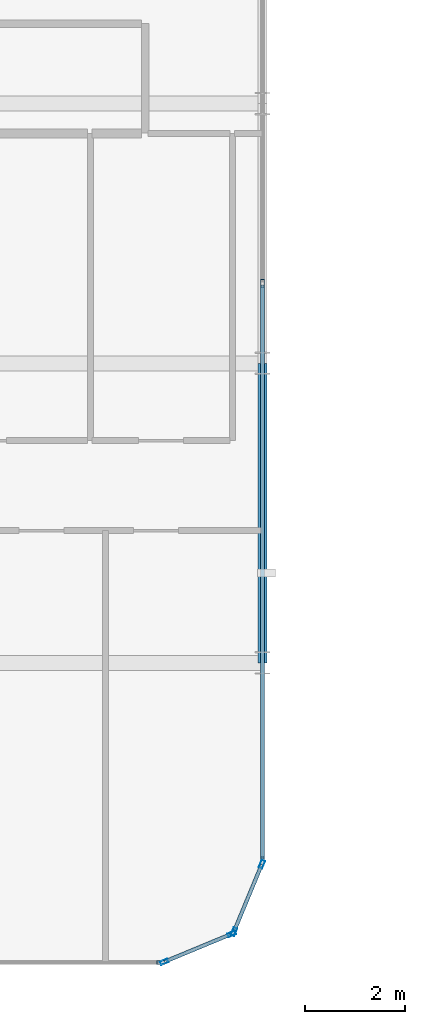
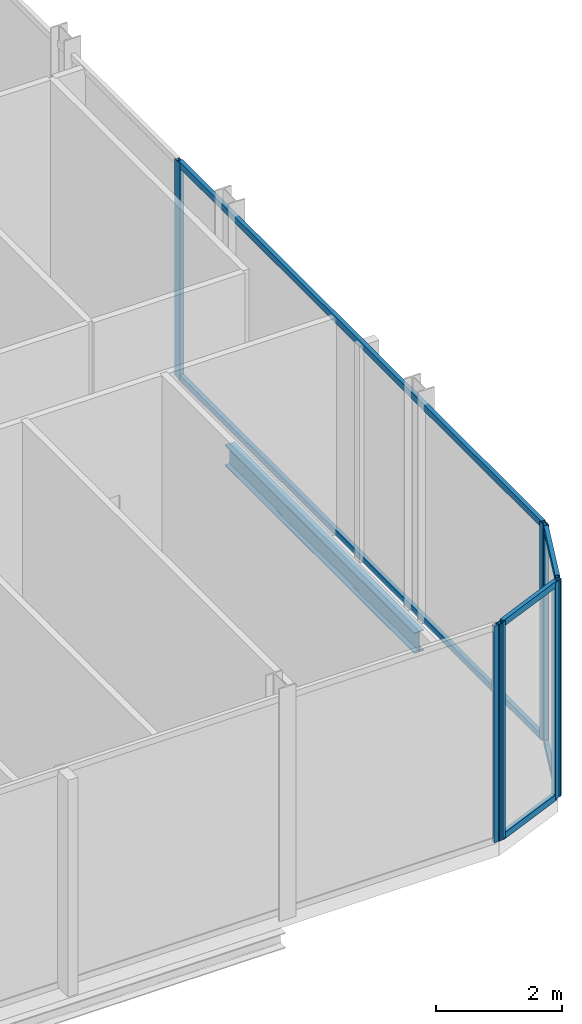
# One storey, part 12 of 28: 13 members, 1 beam, 4 elements without a shape of their own.
"""IFC4 building model written with IfcOpenShell, lengths in metres."""

from ifc_helpers import new_model, si_unit, direction, frame, origin, origin_2d, place, context, subcontext, project, spatial, hollow_rectangle, i_section, extrude, material, layer, layer_set, material_profile, profile_set, type_object, element, aggregate, save


model = new_model("IFC4")

# Units and contexts
model_context = context("Model", 3, precision=1e-05, world=origin(), true_north=direction((0.0, 1.0)))
body_context = subcontext(model_context, "Body", "Model", "MODEL_VIEW")
ifc_project = project(units=[si_unit("LENGTHUNIT", "METRE"), si_unit("AREAUNIT", "SQUARE_METRE"), si_unit("VOLUMEUNIT", "CUBIC_METRE"), si_unit("PLANEANGLEUNIT", "RADIAN"), si_unit("MASSUNIT", "GRAM", prefix="KILO")], contexts=[model_context])

# Site, building, storey
site_placement = place(None, origin())
site = spatial("IfcSite", under=ifc_project, at=site_placement, CompositionType="ELEMENT")
building_placement = place(site_placement, origin())
building = spatial("IfcBuilding", under=site, at=building_placement, Name="Keshet Zoharim Tower", CompositionType="ELEMENT")
storey_placement = place(building_placement, frame((0.0, 0.0, 164.60009765625)))
storey = spatial("IfcBuildingStorey", under=building, at=storey_placement, Name="L40", CompositionType="ELEMENT", Elevation=164.60009765625)

# Beam
ifc_material_1 = material(Name="Steel S355", Category="steel")
ifc_material_profile_1 = material_profile(ifc_material_1, i_section(OverallWidth=0.179931640625, OverallDepth=0.39990234375, WebThickness=0.008544921875, FlangeThickness=0.013427734375, FilletRadius=0.02099609375, at=origin_2d()), Name="IPE400")
ifc_profile_set_1 = profile_set([ifc_material_profile_1], Name="Steel S355")
beam_type = type_object("IfcBeamType", Name="BM-PRI-IP400", PredefinedType="BEAM", material=ifc_profile_set_1)
beam_placement = place(storey_placement, frame((57.0, 6.699951171875, -0.510009765625), z_axis=(0.0, 1.0, 0.0), x_axis=(-1.0, 0.0, 0.0)))
element("IfcBeam", 1, at=beam_placement, inside=storey, type_object=beam_type, Name="L40 Primary Girder Y-013", PredefinedType="BEAM", context=body_context, shape_type="SweptSolid", body=[
    extrude(i_section(OverallWidth=0.179931640625, OverallDepth=0.39990234375, WebThickness=0.008544921875, FlangeThickness=0.013427734375, FilletRadius=0.02099609375, at=origin_2d()), origin(), (0.0, 0.0, 1.0), 6.0),
])

# Curtain wall, members
ifc_material_2 = material(Name="Aluminium 6063-T6", Category="aluminium")
ifc_layer = layer(ifc_material_2, 0.139892578125)
ifc_layer_set = layer_set([ifc_layer], Name="Aluminium 6063-T6")
curtain_wall_type = type_object("IfcCurtainWallType", Name="CW-SYS-05", PredefinedType="NOTDEFINED", material=ifc_layer_set)
curtain_wall_1_placement = place(storey_placement, origin())
curtain_wall_1 = element("IfcCurtainWall", 2, at=curtain_wall_1_placement, inside=storey, type_object=curtain_wall_type, Name="L40 Unitised Curtain Wall 03", PredefinedType="NOTDEFINED")
ifc_material_profile_2 = material_profile(ifc_material_2, hollow_rectangle(XDim=0.074951171875, YDim=0.159912109375, WallThickness=0.00390625, at=origin_2d()), Name="MUL-75x160")
ifc_profile_set_2 = profile_set([ifc_material_profile_2], Name="Aluminium 6063-T6")
member_type_1 = type_object("IfcMemberType", Name="CWM-M15", PredefinedType="MULLION", material=ifc_profile_set_2)
member_1_placement = place(storey_placement, frame((57.0, 14.300048828125, 0.0), z_axis=(0.0, 0.0, 1.0), x_axis=(1.0, 0.0, 0.0)))
member_1 = element("IfcMember", 3, at=member_1_placement, type_object=member_type_1, Name="CW-05 mullion 2", PredefinedType="MULLION", context=body_context, shape_type="SweptSolid", body=[
    extrude(hollow_rectangle(XDim=0.074951171875, YDim=0.159912109375, WallThickness=0.00390625, at=origin_2d()), origin(), (0.0, 0.0, 1.0), 4.18994140625),
])
member_2_placement = place(storey_placement, frame((57.0, 2.735107421875, 0.0), z_axis=(0.0, 0.0, 1.0), x_axis=(1.0, 0.0, 0.0)))
member_2 = element("IfcMember", 4, at=member_2_placement, type_object=member_type_1, Name="CW-05 mullion 3", PredefinedType="MULLION", context=body_context, shape_type="SweptSolid", body=[
    extrude(hollow_rectangle(XDim=0.074951171875, YDim=0.159912109375, WallThickness=0.00390625, at=origin_2d()), origin(), (0.0, 0.0, 1.0), 4.18994140625),
])

curtain_wall_2_placement = place(storey_placement, origin())
curtain_wall_2 = element("IfcCurtainWall", 5, at=curtain_wall_2_placement, inside=storey, type_object=curtain_wall_type, Name="L40 Unitised Curtain Wall 04", PredefinedType="NOTDEFINED")
member_3_placement = place(storey_placement, frame((56.986572265625, 2.667724609375, 0.0), z_axis=(0.0, 0.0, 1.0), x_axis=(0.92380975372, -0.382851849847, 0.0)))
member_3 = element("IfcMember", 6, at=member_3_placement, type_object=member_type_1, Name="CW-05 mullion 1", PredefinedType="MULLION", context=body_context, shape_type="SweptSolid", body=[
    extrude(hollow_rectangle(XDim=0.074951171875, YDim=0.159912109375, WallThickness=0.00390625, at=origin_2d()), origin(), (0.0, 0.0, 1.0), 4.18994140625),
])
member_4_placement = place(storey_placement, frame((56.427490234375, 1.318359375, 0.0), z_axis=(0.0, 0.0, 1.0), x_axis=(0.92380975372, -0.382851849847, 0.0)))
member_4 = element("IfcMember", 7, at=member_4_placement, type_object=member_type_1, Name="CW-05 mullion 2", PredefinedType="MULLION", context=body_context, shape_type="SweptSolid", body=[
    extrude(hollow_rectangle(XDim=0.074951171875, YDim=0.159912109375, WallThickness=0.00390625, at=origin_2d()), origin(), (0.0, 0.0, 1.0), 4.18994140625),
])

curtain_wall_3_placement = place(storey_placement, origin())
curtain_wall_3 = element("IfcCurtainWall", 8, at=curtain_wall_3_placement, inside=storey, type_object=curtain_wall_type, Name="L40 Unitised Curtain Wall 05", PredefinedType="NOTDEFINED")
member_5_placement = place(storey_placement, frame((56.381591796875, 1.272705078125, 0.0), z_axis=(0.0, 0.0, 1.0), x_axis=(0.382851849847, -0.92380975372, 0.0)))
member_5 = element("IfcMember", 9, at=member_5_placement, type_object=member_type_1, Name="CW-05 mullion 1", PredefinedType="MULLION", context=body_context, shape_type="SweptSolid", body=[
    extrude(hollow_rectangle(XDim=0.074951171875, YDim=0.159912109375, WallThickness=0.00390625, at=origin_2d()), origin(), (0.0, 0.0, 1.0), 4.18994140625),
])
member_6_placement = place(storey_placement, frame((55.0322265625, 0.71337890625, 0.0), z_axis=(0.0, 0.0, 1.0), x_axis=(0.382851849847, -0.92380975372, 0.0)))
member_6 = element("IfcMember", 10, at=member_6_placement, type_object=member_type_1, Name="CW-05 mullion 2", PredefinedType="MULLION", context=body_context, shape_type="SweptSolid", body=[
    extrude(hollow_rectangle(XDim=0.074951171875, YDim=0.159912109375, WallThickness=0.00390625, at=origin_2d()), origin(), (0.0, 0.0, 1.0), 4.18994140625),
])

# Curtain wall, member
curtain_wall_4_placement = place(storey_placement, origin())
curtain_wall_4 = element("IfcCurtainWall", 11, at=curtain_wall_4_placement, inside=storey, type_object=curtain_wall_type, Name="L40 Unitised Curtain Wall 06", PredefinedType="NOTDEFINED")
member_7_placement = place(storey_placement, frame((54.965087890625, 0.699951171875, 0.0), z_axis=(0.0, 0.0, 1.0), x_axis=(0.0, -1.0, 0.0)))
member_7 = element("IfcMember", 12, at=member_7_placement, type_object=member_type_1, Name="CW-05 mullion 1", PredefinedType="MULLION", context=body_context, shape_type="SweptSolid", body=[
    extrude(hollow_rectangle(XDim=0.074951171875, YDim=0.159912109375, WallThickness=0.00390625, at=origin_2d()), origin(), (0.0, 0.0, 1.0), 4.18994140625),
])
aggregate(curtain_wall_4, [member_7])

# Member
ifc_material_profile_3 = material_profile(ifc_material_2, hollow_rectangle(XDim=0.074951171875, YDim=0.1201171875, WallThickness=0.00390625, at=origin_2d()), Name="TRN-75x120")
ifc_profile_set_3 = profile_set([ifc_material_profile_3], Name="Aluminium 6063-T6")
member_type_2 = type_object("IfcMemberType", Name="CWT-T12", PredefinedType="USERDEFINED", material=ifc_profile_set_3)
member_8_placement = place(storey_placement, frame((57.0, 14.264892578125, 0.034912109375), z_axis=(0.0, -1.0, 0.0), x_axis=(1.0, 0.0, 0.0)))
member_8 = element("IfcMember", 13, at=member_8_placement, type_object=member_type_2, Name="CW-05 transom 2.1", ObjectType="TRANSOM", PredefinedType="USERDEFINED", context=body_context, shape_type="SweptSolid", body=[
    extrude(hollow_rectangle(XDim=0.074951171875, YDim=0.1201171875, WallThickness=0.00390625, at=origin_2d()), origin(), (0.0, 0.0, 1.0), 11.494873046875),
])

member_9_placement = place(storey_placement, frame((57.0, 14.264892578125, 4.15478515625), z_axis=(0.0, -1.0, 0.0), x_axis=(1.0, 0.0, 0.0)))
member_9 = element("IfcMember", 14, at=member_9_placement, type_object=member_type_2, Name="CW-05 transom 2.2", ObjectType="TRANSOM", PredefinedType="USERDEFINED", context=body_context, shape_type="SweptSolid", body=[
    extrude(hollow_rectangle(XDim=0.074951171875, YDim=0.1201171875, WallThickness=0.00390625, at=origin_2d()), origin(), (0.0, 0.0, 1.0), 11.494873046875),
])

aggregate(curtain_wall_1, [member_1, member_2, member_8, member_9])

member_10_placement = place(storey_placement, frame((56.97314453125, 2.63525390625, 0.034912109375), z_axis=(-0.382744609247, -0.923854189844, 0.0), x_axis=(0.923854189844, -0.382744609247, 0.0)))
member_10 = element("IfcMember", 15, at=member_10_placement, type_object=member_type_2, Name="CW-05 transom 1.1", ObjectType="TRANSOM", PredefinedType="USERDEFINED", context=body_context, shape_type="SweptSolid", body=[
    extrude(hollow_rectangle(XDim=0.074951171875, YDim=0.1201171875, WallThickness=0.00390625, at=origin_2d()), origin(), (0.0, 0.0, 1.0), 1.390625),
])

member_11_placement = place(storey_placement, frame((56.97314453125, 2.63525390625, 4.15478515625), z_axis=(-0.382744609247, -0.923854189844, 0.0), x_axis=(0.923854189844, -0.382744609247, 0.0)))
member_11 = element("IfcMember", 16, at=member_11_placement, type_object=member_type_2, Name="CW-05 transom 1.2", ObjectType="TRANSOM", PredefinedType="USERDEFINED", context=body_context, shape_type="SweptSolid", body=[
    extrude(hollow_rectangle(XDim=0.074951171875, YDim=0.1201171875, WallThickness=0.00390625, at=origin_2d()), origin(), (0.0, 0.0, 1.0), 1.390625),
])

aggregate(curtain_wall_2, [member_3, member_4, member_10, member_11])

member_12_placement = place(storey_placement, frame((56.349365234375, 1.25927734375, 0.034912109375), z_axis=(-0.92379209995, -0.382894445076, 0.0), x_axis=(0.382894445076, -0.92379209995, 0.0)))
member_12 = element("IfcMember", 17, at=member_12_placement, type_object=member_type_2, Name="CW-05 transom 1.1", ObjectType="TRANSOM", PredefinedType="USERDEFINED", context=body_context, shape_type="SweptSolid", body=[
    extrude(hollow_rectangle(XDim=0.074951171875, YDim=0.1201171875, WallThickness=0.00390625, at=origin_2d()), origin(), (0.0, 0.0, 1.0), 1.390625),
])

member_13_placement = place(storey_placement, frame((56.349365234375, 1.25927734375, 4.15478515625), z_axis=(-0.92379209995, -0.382894445076, 0.0), x_axis=(0.382894445076, -0.92379209995, 0.0)))
member_13 = element("IfcMember", 18, at=member_13_placement, type_object=member_type_2, Name="CW-05 transom 1.2", ObjectType="TRANSOM", PredefinedType="USERDEFINED", context=body_context, shape_type="SweptSolid", body=[
    extrude(hollow_rectangle(XDim=0.074951171875, YDim=0.1201171875, WallThickness=0.00390625, at=origin_2d()), origin(), (0.0, 0.0, 1.0), 1.390625),
])

aggregate(curtain_wall_3, [member_5, member_6, member_12, member_13])

save(model, "model.ifc")
